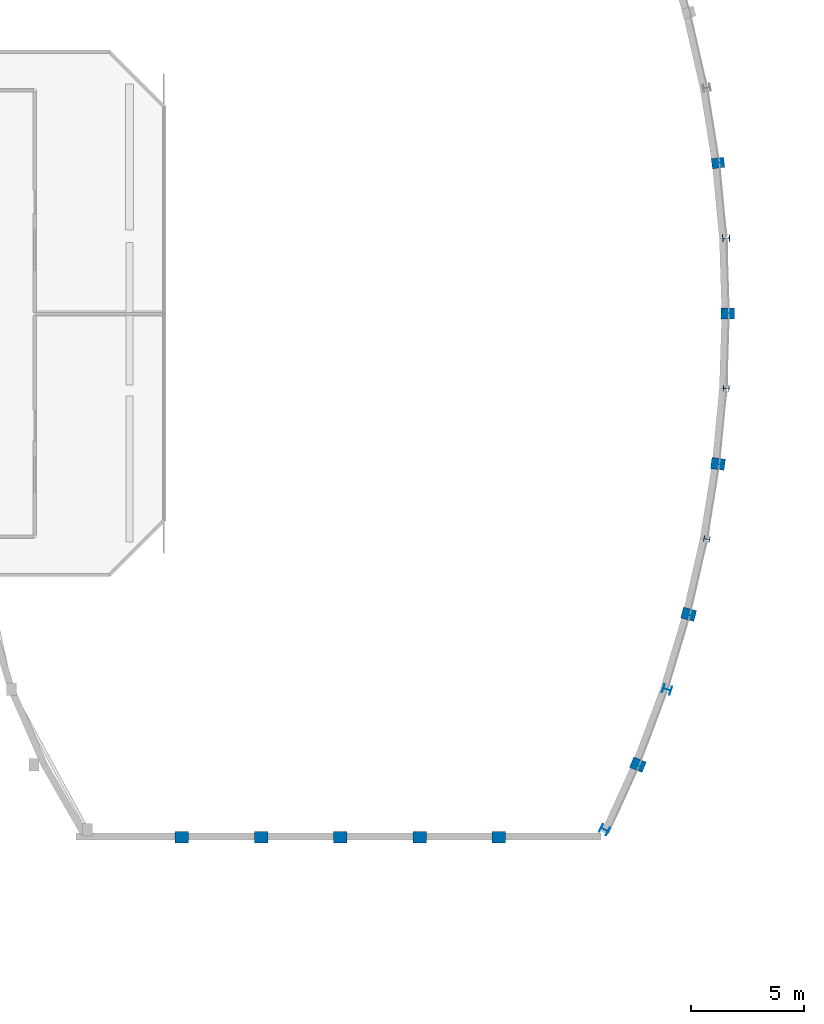
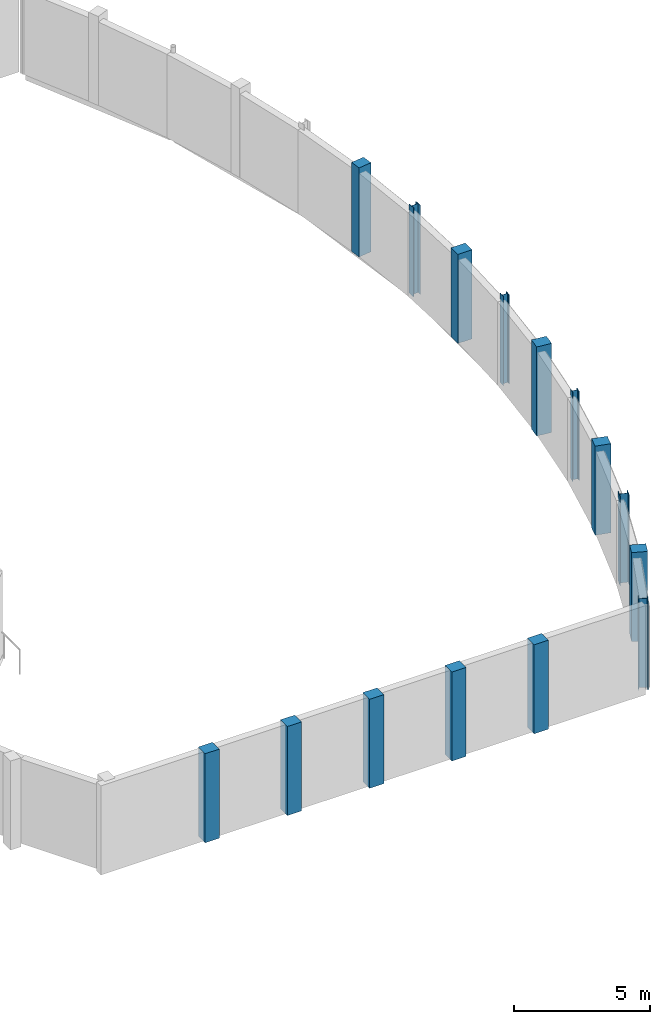
# One storey, part 13 of 92: 15 columns.
"""IFC4 building model written with IfcOpenShell, lengths in metres."""

from ifc_helpers import new_model, si_unit, direction, frame, origin, origin_2d, place, context, subcontext, project, spatial, rectangle, i_section, extrude, material, material_profile, profile_set, type_object, element, save


model = new_model("IFC4")

# Units and contexts
model_context = context("Model", 3, precision=1e-05, world=origin(), true_north=direction((0.0, 1.0)))
body_context = subcontext(model_context, "Body", "Model", "MODEL_VIEW")
ifc_project = project(units=[si_unit("LENGTHUNIT", "METRE"), si_unit("AREAUNIT", "SQUARE_METRE"), si_unit("VOLUMEUNIT", "CUBIC_METRE"), si_unit("PLANEANGLEUNIT", "RADIAN"), si_unit("MASSUNIT", "GRAM", prefix="KILO")], contexts=[model_context])

# Site, building, storey
site_placement = place(None, origin())
site = spatial("IfcSite", under=ifc_project, at=site_placement, CompositionType="ELEMENT")
building_placement = place(site_placement, origin())
building = spatial("IfcBuilding", under=site, at=building_placement, Name="Kelanivale Promenade Academy", CompositionType="ELEMENT")
storey_placement = place(building_placement, frame((0.0, 0.0, 8.199951171875)))
storey = spatial("IfcBuildingStorey", under=building, at=storey_placement, Name="L02", CompositionType="ELEMENT", Elevation=8.199951171875)

# Columns
ifc_material_1 = material(Name="Concrete C40/50", Category="concrete")
ifc_material_profile_1 = material_profile(ifc_material_1, rectangle(XDim=0.449951171875, YDim=0.550048828125, at=origin_2d()), Name="RC-PIL 450x550")
ifc_profile_set_1 = profile_set([ifc_material_profile_1], Name="Concrete C40/50")
column_type_1 = type_object("IfcColumnType", Name="PL-17 RC-PIL 450x550", PredefinedType="PILASTER", material=ifc_profile_set_1)
column_1_placement = place(storey_placement, frame((155.93603515625, 62.8291015625, 0.0), z_axis=(0.0, 0.0, 1.0), x_axis=(-0.12741083733, 0.991850028246, 0.0)))
element("IfcColumn", 1, at=column_1_placement, inside=storey, type_object=column_type_1, Name="Column PL-17 at (155.9, 62.8) L02", PredefinedType="PILASTER", context=body_context, shape_type="SweptSolid", body=[
    extrude(rectangle(XDim=0.449951171875, YDim=0.550048828125, at=origin_2d()), origin(), (0.0, 0.0, 1.0), 4.0),
])
ifc_material_profile_2 = material_profile(ifc_material_1, rectangle(XDim=0.5, YDim=0.60009765625, at=origin_2d()), Name="RC-PIL 500x600")
ifc_profile_set_2 = profile_set([ifc_material_profile_2], Name="Concrete C40/50")
column_type_2 = type_object("IfcColumnType", Name="PL-18 RC-PIL 500x600", PredefinedType="PILASTER", material=ifc_profile_set_2)
for number, where, z_axis, x_axis, name in (
    (2, (132.30810546875, 33.1201171875, 0.0), (0.0, 0.0, 1.0), (0.0, 1.0, 0.0), "Column PL-18 at (132.3, 33.1) L02"),
    (3, (135.801025390625, 33.1201171875, 0.0), (0.0, 0.0, 1.0), (0.0, 1.0, 0.0), "Column PL-18 at (135.8, 33.1) L02"),
    (4, (139.2939453125, 33.1201171875, 0.0), (0.0, 0.0, 1.0), (0.0, 1.0, 0.0), "Column PL-18 at (139.3, 33.1) L02"),
    (5, (142.787109375, 33.1201171875, 0.0), (0.0, 0.0, 1.0), (0.0, 1.0, 0.0), "Column PL-18 at (142.8, 33.1) L02"),
    (6, (146.280029296875, 33.1201171875, 0.0), (0.0, 0.0, 1.0), (0.0, 1.0, 0.0), "Column PL-18 at (146.3, 33.1) L02"),
    (7, (152.406982421875, 36.31396484375, 0.0), (0.0, 0.0, 1.0), (0.382360914263, 0.92401305794, 0.0), "Column PL-18 at (152.4, 36.3) L02"),
    (8, (154.64208984375, 42.943115234375, 0.0), (0.0, 0.0, 1.0), (0.2549394954, 0.966957007154, 0.0), "Column PL-18 at (154.6, 42.9) L02"),
    (9, (155.93603515625, 49.571044921875, 0.0), (0.0, 0.0, 1.0), (0.12741083733, 0.991850028246, 0.0), "Column PL-18 at (155.9, 49.6) L02"),
    (10, (156.360107421875, 56.199951171875, 0.0), (0.0, 0.0, 1.0), (0.0, 1.0, 0.0), "Column PL-18 at (156.4, 56.2) L02"),
):
    element("IfcColumn", number, at=place(storey_placement, frame(where, z_axis=z_axis, x_axis=x_axis)), inside=storey, type_object=column_type_2, Name=name, PredefinedType="PILASTER", context=body_context, shape_type="SweptSolid", body=[
        extrude(rectangle(XDim=0.5, YDim=0.60009765625, at=origin_2d()), origin(), (0.0, 0.0, 1.0), 4.0),
    ])
ifc_material_2 = material(Name="Steel S355", Category="steel")
ifc_material_profile_3 = material_profile(ifc_material_2, i_section(OverallWidth=0.25634765625, OverallDepth=0.26025390625, WebThickness=0.01025390625, FlangeThickness=0.017333984375, FilletRadius=0.0126953125, at=origin_2d()), Name="UC 254x254x89")
ifc_profile_set_3 = profile_set([ifc_material_profile_3], Name="Steel S355")
column_type_3 = type_object("IfcColumnType", Name="SC-03 UC 254x254x89", PredefinedType="COLUMN", material=ifc_profile_set_3)
for number, where, z_axis, x_axis, name in (
    (11, (155.44091796875, 46.257080078125, 0.0), (0.0, 0.0, 1.0), (0.191151636272, 0.981560518741, 0.0), "Column SC-03 at (155.4, 46.3) L02"),
    (12, (156.2939453125, 52.885986328125, 0.0), (0.0, 0.0, 1.0), (0.063661438132, 0.99797155335, 0.0), "Column SC-03 at (156.3, 52.9) L02"),
):
    element("IfcColumn", number, at=place(storey_placement, frame(where, z_axis=z_axis, x_axis=x_axis)), inside=storey, type_object=column_type_3, Name=name, PredefinedType="COLUMN", context=body_context, shape_type="SweptSolid", body=[
        extrude(i_section(OverallWidth=0.25634765625, OverallDepth=0.26025390625, WebThickness=0.01025390625, FlangeThickness=0.017333984375, FilletRadius=0.0126953125, at=origin_2d()), origin(), (0.0, 0.0, 1.0), 4.0),
    ])
ifc_material_profile_4 = material_profile(ifc_material_2, i_section(OverallWidth=0.307373046875, OverallDepth=0.314453125, WebThickness=0.011962890625, FlangeThickness=0.018798828125, FilletRadius=0.01513671875, at=origin_2d()), Name="UC 305x305x118")
ifc_profile_set_4 = profile_set([ifc_material_profile_4], Name="Steel S355")
column_type_4 = type_object("IfcColumnType", Name="SC-04 UC 305x305x118", PredefinedType="COLUMN", material=ifc_profile_set_4)
column_2_placement = place(storey_placement, frame((156.2939453125, 59.513916015625, 0.0), z_axis=(0.0, 0.0, 1.0), x_axis=(-0.063661438132, 0.99797155335, 0.0)))
element("IfcColumn", 13, at=column_2_placement, inside=storey, type_object=column_type_4, Name="Column SC-04 at (156.3, 59.5) L02", PredefinedType="COLUMN", context=body_context, shape_type="SweptSolid", body=[
    extrude(i_section(OverallWidth=0.307373046875, OverallDepth=0.314453125, WebThickness=0.011962890625, FlangeThickness=0.018798828125, FilletRadius=0.01513671875, at=origin_2d()), origin(), (0.0, 0.0, 1.0), 4.0),
])
ifc_material_profile_5 = material_profile(ifc_material_2, i_section(OverallWidth=0.37060546875, OverallDepth=0.362060546875, WebThickness=0.01220703125, FlangeThickness=0.020751953125, FilletRadius=0.01513671875, at=origin_2d()), Name="UC 356x368x153")
ifc_profile_set_5 = profile_set([ifc_material_profile_5], Name="Steel S355")
column_type_5 = type_object("IfcColumnType", Name="SC-05 UC 356x368x153", PredefinedType="COLUMN", material=ifc_profile_set_5)
for number, where, z_axis, x_axis, name in (
    (14, (150.93798828125, 33.449951171875, 0.0), (0.0, 0.0, 1.0), (0.44619781311, 0.894934361602, 0.0), "Column SC-05 at (150.9, 33.5) L02"),
    (15, (153.68896484375, 39.62890625, 0.0), (0.0, 0.0, 1.0), (0.318628456287, 0.947879690069, 0.0), "Column SC-05 at (153.7, 39.6) L02"),
):
    element("IfcColumn", number, at=place(storey_placement, frame(where, z_axis=z_axis, x_axis=x_axis)), inside=storey, type_object=column_type_5, Name=name, PredefinedType="COLUMN", context=body_context, shape_type="SweptSolid", body=[
        extrude(i_section(OverallWidth=0.37060546875, OverallDepth=0.362060546875, WebThickness=0.01220703125, FlangeThickness=0.020751953125, FilletRadius=0.01513671875, at=origin_2d()), origin(), (0.0, 0.0, 1.0), 4.0),
    ])

save(model, "model.ifc")
